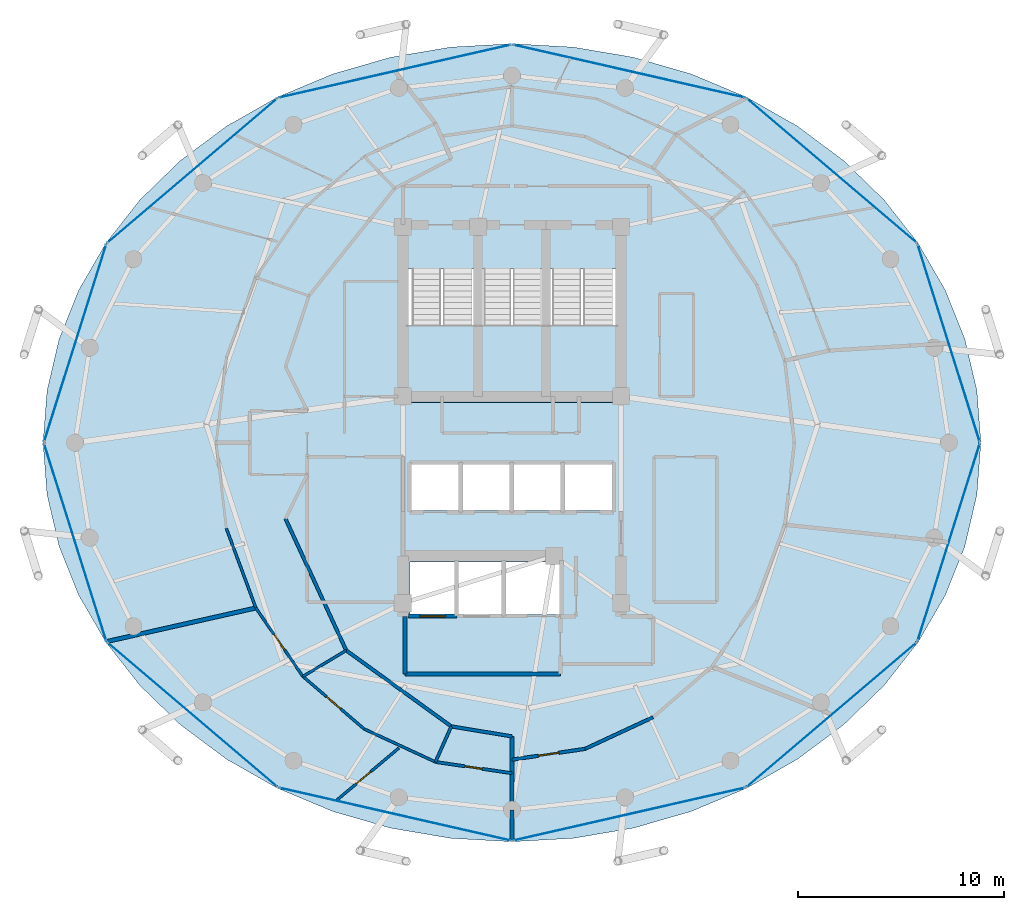
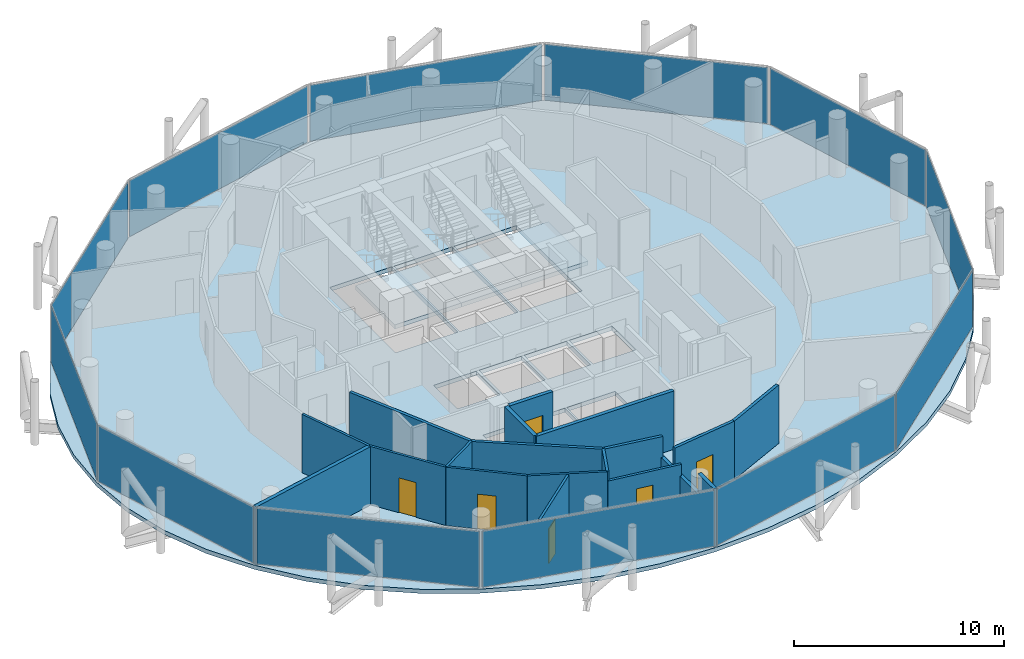
# One storey, part 22 of 27: 19 walls, 12 plates, 6 doors, 4 slabs, 6 openings, 15 elements without a shape of their own.
"""IFC4 building model written with IfcOpenShell, lengths in metres."""

import ifcopenshell
import ifcopenshell.guid

model = None  # the IFC model being written
_history = None  # IfcOwnerHistory: only IFC2X3 demands one
_inside = {}  # id of a spatial element -> (the spatial element, [elements in it])
_under = {}  # id of a project, library or spatial element -> (it, [spatial elements below it])
_declared = {}  # id of a project -> (the project, [libraries it declares])
_typed = {}  # id of a type object -> (the type object, [elements of that type])
_made_of = {}  # id of a material, layer set ... -> (it, [elements and type objects made of it])


def new_model(schema):
    """Start an empty IFC model of exactly this schema.

    Asked for "IFC4X3", IfcOpenShell would pick the latest addendum, in which some entities
    have other attributes; the version numbers below select the first issue.
    IFC2X3 requires an IfcOwnerHistory on every rooted entity: one is made here for all.
    """
    global model, _history
    if schema == "IFC4X3":
        model = ifcopenshell.file(schema_version=(4, 3, 0, 0))
    else:
        model = ifcopenshell.file(schema=schema)
    _inside.clear()
    _under.clear()
    _declared.clear()
    _typed.clear()
    _made_of.clear()
    _history = None
    if model.schema == "IFC2X3":
        org = make("IfcOrganization", Name="unknown")
        user = make(
            "IfcPersonAndOrganization",
            ThePerson=make("IfcPerson", FamilyName="unknown"),
            TheOrganization=org,
        )
        app = make(
            "IfcApplication",
            ApplicationDeveloper=org,
            Version="unknown",
            ApplicationFullName="unknown",
            ApplicationIdentifier="unknown",
        )
        _history = make(
            "IfcOwnerHistory",
            OwningUser=user,
            OwningApplication=app,
            ChangeAction="ADDED",
            CreationDate=0,
        )
    return model


def make(cls, **values):
    """One entity of the class cls with the attributes given. An attribute that is None is left unset."""
    return model.create_entity(
        cls, **{name: value for name, value in values.items() if value is not None}
    )


def rooted(cls, **values):
    """An entity with a GlobalId (a new one), such as an element, a storey or a relation."""
    return make(cls, GlobalId=ifcopenshell.guid.new(), OwnerHistory=_history, **values)


def si_unit(unit_type, name, prefix=None):
    """IfcSIUnit, for example si_unit("LENGTHUNIT", "METRE", prefix="MILLI")."""
    return make("IfcSIUnit", UnitType=unit_type, Prefix=prefix, Name=name)


def assignment(units):
    """IfcUnitAssignment: the units of a project."""
    return None if units is None else make("IfcUnitAssignment", Units=units)


def point(xyz):
    """IfcCartesianPoint."""
    return None if xyz is None else make("IfcCartesianPoint", Coordinates=xyz)


def direction(xyz):
    """IfcDirection."""
    return None if xyz is None else make("IfcDirection", DirectionRatios=xyz)


def frame(location, z_axis=None, x_axis=None):
    """IfcAxis2Placement3D, a coordinate frame: its origin and axes. An axis left out is left unset."""
    return make(
        "IfcAxis2Placement3D",
        Location=point(location),
        Axis=direction(z_axis),
        RefDirection=direction(x_axis),
    )


def frame_2d(location, x_axis=None):
    """IfcAxis2Placement2D, a coordinate frame in the plane: its origin and x axis."""
    return make(
        "IfcAxis2Placement2D", Location=point(location), RefDirection=direction(x_axis)
    )


def origin():
    """The frame at (0, 0, 0) with its axes left unset."""
    return frame((0.0, 0.0, 0.0))


def origin_2d():
    """The frame at (0, 0) in the plane with its x axis left unset."""
    return frame_2d((0.0, 0.0))


def place(relative_to, where):
    """IfcLocalPlacement: puts the frame where relative to a parent placement (None: the world)."""
    return make(
        "IfcLocalPlacement", PlacementRelTo=relative_to, RelativePlacement=where
    )


def context(
    kind, dimensions, precision=None, world=None, true_north=None, identifier=None
):
    """IfcGeometricRepresentationContext, for example the 3D "Model" context."""
    return make(
        "IfcGeometricRepresentationContext",
        ContextIdentifier=identifier,
        ContextType=kind,
        CoordinateSpaceDimension=dimensions,
        Precision=precision,
        WorldCoordinateSystem=world,
        TrueNorth=true_north,
    )


def subcontext(parent, identifier, kind, view, scale=None):
    """IfcGeometricRepresentationSubContext, for example "Body" below "Model"."""
    return make(
        "IfcGeometricRepresentationSubContext",
        ContextIdentifier=identifier,
        ContextType=kind,
        ParentContext=parent,
        TargetScale=scale,
        TargetView=view,
    )


def project(units=None, contexts=None):
    """IfcProject with its units and contexts."""
    return rooted(
        "IfcProject",
        Name="project",
        RepresentationContexts=contexts,
        UnitsInContext=assignment(units),
    )


def spatial(cls, under=None, at=None, **own):
    """A site, building, storey or space (cls), placed at a placement, below another one or the project."""
    s = rooted(cls, ObjectPlacement=at, **own)
    if under is not None:
        _under.setdefault(under.id(), (under, []))[1].append(s)
    return s


def polyline(points):
    """IfcPolyline through the points."""
    return make("IfcPolyline", Points=[point(p) for p in points])


def profile(cls, at=None, kind="AREA", **sizes):
    """A parametric profile (cls). Its sizes go by their IFC names, for example OverallWidth=200.0."""
    return make(cls, ProfileType=kind, Position=at, **sizes)


def rectangle(**sizes):
    """IfcRectangleProfileDef."""
    return profile("IfcRectangleProfileDef", **sizes)


def outline(outer, holes=None, kind="AREA"):
    """IfcArbitraryClosedProfileDef: a profile drawn as a closed curve; with holes, ...WithVoids."""
    if holes is None:
        return make("IfcArbitraryClosedProfileDef", ProfileType=kind, OuterCurve=outer)
    return make(
        "IfcArbitraryProfileDefWithVoids",
        ProfileType=kind,
        OuterCurve=outer,
        InnerCurves=holes,
    )


def extrude(swept, where, along, depth):
    """IfcExtrudedAreaSolid: the profile swept, set in the frame where, extruded along a direction by depth."""
    return make(
        "IfcExtrudedAreaSolid",
        SweptArea=swept,
        Position=where,
        ExtrudedDirection=direction(along),
        Depth=depth,
    )


def shape(context_of_items, identifier, shape_type, items):
    """IfcShapeRepresentation: the items that make up one representation, for example the "Body"."""
    return make(
        "IfcShapeRepresentation",
        ContextOfItems=context_of_items,
        RepresentationIdentifier=identifier,
        RepresentationType=shape_type,
        Items=items,
    )


def material(Name=None, Category=None):
    """IfcMaterial."""
    return make("IfcMaterial", Name=Name, Category=Category)


def layer(
    of_material, thickness, ventilated=None, Name=None, Category=None, Priority=None
):
    """IfcMaterialLayer: one layer of a wall or slab, of a material (None: an air gap)."""
    return make(
        "IfcMaterialLayer",
        Material=of_material,
        LayerThickness=thickness,
        IsVentilated=ventilated,
        Name=Name,
        Category=Category,
        Priority=Priority,
    )


def layer_set(layers, Name=None):
    """IfcMaterialLayerSet."""
    return make("IfcMaterialLayerSet", MaterialLayers=layers, LayerSetName=Name)


def made_of(thing, what):
    """Note that an element or type object is made of a material, layer set ...; save() writes the relation."""
    if what is not None:
        _made_of.setdefault(what.id(), (what, []))[1].append(thing)
    return thing


def type_object(cls, material=None, **own):
    """A type object (cls), such as IfcWallType, which elements share."""
    return made_of(rooted(cls, **own), material)


def element(
    cls,
    number,
    at=None,
    inside=None,
    cuts=None,
    type_object=None,
    material=None,
    context=None,
    identifier="Body",
    shape_type=None,
    held_by="IfcProductDefinitionShape",
    body=None,
    shapes=None,
    **own,
):
    """One element of the class cls, such as IfcWall. Its Tag is "e" and its number.

    at: its placement. inside: the storey or other place that contains it. cuts: it is an
    opening in that element (IfcRelVoidsElement). A single representation is given by context,
    identifier, shape_type and body (its items); several are given by shapes. held_by: the class
    of the entity that holds the representations. save() writes the other relations.
    """
    e = rooted(cls, Tag="e%d" % number, ObjectPlacement=at, **own)
    if body is not None:
        shapes = [shape(context, identifier, shape_type, body)]
    if shapes is not None:
        e.Representation = make(held_by, Representations=shapes)
    if inside is not None:
        _inside.setdefault(inside.id(), (inside, []))[1].append(e)
    if cuts is not None:
        rooted(
            "IfcRelVoidsElement", RelatingBuildingElement=cuts, RelatedOpeningElement=e
        )
    if type_object is not None:
        _typed.setdefault(type_object.id(), (type_object, []))[1].append(e)
    return made_of(e, material)


def fill(opening, filler):
    """IfcRelFillsElement: the door or window that sits in an opening."""
    return rooted(
        "IfcRelFillsElement",
        RelatingOpeningElement=opening,
        RelatedBuildingElement=filler,
    )


def aggregate(whole, parts):
    """IfcRelAggregates: a whole, such as a stair, and the parts it consists of."""
    return rooted("IfcRelAggregates", RelatingObject=whole, RelatedObjects=parts)


def save(model, path):
    """Write the relations noted so far, then the file.

    IfcRelAggregates (storeys below a building ...), IfcRelContainedInSpatialStructure (elements
    in a storey), IfcRelDefinesByType, IfcRelAssociatesMaterial and IfcRelDeclares: one each for
    every whole, place, type object, material and project.
    """
    for whole, parts in _under.values():
        aggregate(whole, parts)
    for where, things in _inside.values():
        rooted(
            "IfcRelContainedInSpatialStructure",
            RelatedElements=things,
            RelatingStructure=where,
        )
    for kind, things in _typed.values():
        rooted("IfcRelDefinesByType", RelatedObjects=things, RelatingType=kind)
    for what, things in _made_of.values():
        rooted("IfcRelAssociatesMaterial", RelatedObjects=things, RelatingMaterial=what)
    for by, libraries in _declared.values():
        rooted("IfcRelDeclares", RelatingContext=by, RelatedDefinitions=libraries)
    model.write(path)


model = new_model("IFC4")

# Units and contexts
model_context = context("Model", 3, precision=1e-05, world=origin(), true_north=direction((0.0, 1.0)))
body_context = subcontext(model_context, "Body", "Model", "MODEL_VIEW")
ifc_project = project(units=[si_unit("LENGTHUNIT", "METRE"), si_unit("AREAUNIT", "SQUARE_METRE"), si_unit("VOLUMEUNIT", "CUBIC_METRE"), si_unit("PLANEANGLEUNIT", "RADIAN"), si_unit("MASSUNIT", "GRAM", prefix="KILO")], contexts=[model_context])

# Site, building, storey
site_placement = place(None, origin())
site = spatial("IfcSite", under=ifc_project, at=site_placement, CompositionType="ELEMENT")
building_placement = place(site_placement, origin())
building = spatial("IfcBuilding", under=site, at=building_placement, Name="Nuhasar Tower", CompositionType="ELEMENT")
storey_placement = place(building_placement, frame((0.0, 0.0, 251.949951171875)))
storey = spatial("IfcBuildingStorey", under=building, at=storey_placement, Name="L62", CompositionType="ELEMENT", Elevation=251.949951171875)

# Curtain wall, plate
ifc_material_1 = material(Name="Aluminium 6063-T6", Category="aluminium")
ifc_layer_1 = layer(ifc_material_1, 0.18994140625)
ifc_layer_set_1 = layer_set([ifc_layer_1], Name="Aluminium 6063-T6")
curtain_wall_type = type_object("IfcCurtainWallType", Name="CW-Z3-RES", PredefinedType="NOTDEFINED", material=ifc_layer_set_1)
curtain_wall_1_placement = place(storey_placement, origin())
curtain_wall_1 = element("IfcCurtainWall", 1, at=curtain_wall_1_placement, inside=storey, type_object=curtain_wall_type, Name="L62 Unitised Curtain Wall 01", PredefinedType="NOTDEFINED")
ifc_material_2 = material(Name="Glass Double Low-E", Category="glass")
ifc_layer_2 = layer(ifc_material_2, 0.028076171875)
ifc_layer_set_2 = layer_set([ifc_layer_2], Name="Glass Double Low-E")
plate_type = type_object("IfcPlateType", Name="CW-PANEL-GLZ", PredefinedType="CURTAIN_PANEL", material=ifc_layer_set_2)
plate_1_placement = place(storey_placement, frame((60.235595703125, 31.639892578125, 0.06494140625), z_axis=(0.0, 0.0, 1.0), x_axis=(-0.30042864553, 0.95380429279, 0.0)))
plate_1 = element("IfcPlate", 2, at=plate_1_placement, type_object=plate_type, Name="CW-Z3 panel 1.1", PredefinedType="CURTAIN_PANEL", context=body_context, shape_type="SweptSolid", body=[
    extrude(rectangle(XDim=10.018798828125, YDim=0.028076171875, at=origin_2d()), origin(), (0.0, 0.0, 1.0), 3.260009765625),
])
aggregate(curtain_wall_1, [plate_1])

curtain_wall_2_placement = place(storey_placement, origin())
curtain_wall_2 = element("IfcCurtainWall", 3, at=curtain_wall_2_placement, inside=storey, type_object=curtain_wall_type, Name="L62 Unitised Curtain Wall 02", PredefinedType="NOTDEFINED")
plate_2_placement = place(storey_placement, frame((54.54541015625, 40.02294921875, 0.06494140625), z_axis=(0.0, 0.0, 1.0), x_axis=(-0.761729472562, 0.64789521578, 0.0)))
plate_2 = element("IfcPlate", 4, at=plate_2_placement, type_object=plate_type, Name="CW-Z3 panel 1.1", PredefinedType="CURTAIN_PANEL", context=body_context, shape_type="SweptSolid", body=[
    extrude(rectangle(XDim=10.806884765625, YDim=0.028076171875, at=origin_2d()), origin(), (0.0, 0.0, 1.0), 3.260009765625),
])
aggregate(curtain_wall_2, [plate_2])

curtain_wall_3_placement = place(storey_placement, origin())
curtain_wall_3 = element("IfcCurtainWall", 5, at=curtain_wall_3_placement, inside=storey, type_object=curtain_wall_type, Name="L62 Unitised Curtain Wall 03", PredefinedType="NOTDEFINED")
plate_3_placement = place(storey_placement, frame((44.68994140625, 44.863037109375, 0.06494140625), z_axis=(0.0, 0.0, 1.0), x_axis=(-0.974991266926, 0.222243176313, 0.0)))
plate_3 = element("IfcPlate", 6, at=plate_3_placement, type_object=plate_type, Name="CW-Z3 panel 1.1", PredefinedType="CURTAIN_PANEL", context=body_context, shape_type="SweptSolid", body=[
    extrude(rectangle(XDim=11.5419921875, YDim=0.028076171875, at=origin_2d()), origin(), (0.0, 0.0, 1.0), 3.260009765625),
])
aggregate(curtain_wall_3, [plate_3])

curtain_wall_4_placement = place(storey_placement, origin())
curtain_wall_4 = element("IfcCurtainWall", 7, at=curtain_wall_4_placement, inside=storey, type_object=curtain_wall_type, Name="L62 Unitised Curtain Wall 04", PredefinedType="NOTDEFINED")
plate_4_placement = place(storey_placement, frame((33.31005859375, 44.863037109375, 0.06494140625), z_axis=(0.0, 0.0, 1.0), x_axis=(-0.974991266926, -0.222243176313, 0.0)))
plate_4 = element("IfcPlate", 8, at=plate_4_placement, type_object=plate_type, Name="CW-Z3 panel 1.1", PredefinedType="CURTAIN_PANEL", context=body_context, shape_type="SweptSolid", body=[
    extrude(rectangle(XDim=11.5419921875, YDim=0.028076171875, at=origin_2d()), origin(), (0.0, 0.0, 1.0), 3.260009765625),
])
aggregate(curtain_wall_4, [plate_4])

curtain_wall_5_placement = place(storey_placement, origin())
curtain_wall_5 = element("IfcCurtainWall", 9, at=curtain_wall_5_placement, inside=storey, type_object=curtain_wall_type, Name="L62 Unitised Curtain Wall 05", PredefinedType="NOTDEFINED")
plate_5_placement = place(storey_placement, frame((23.45458984375, 40.02294921875, 0.06494140625), z_axis=(0.0, 0.0, 1.0), x_axis=(-0.761729472562, -0.64789521578, 0.0)))
plate_5 = element("IfcPlate", 10, at=plate_5_placement, type_object=plate_type, Name="CW-Z3 panel 1.1", PredefinedType="CURTAIN_PANEL", context=body_context, shape_type="SweptSolid", body=[
    extrude(rectangle(XDim=10.806884765625, YDim=0.028076171875, at=origin_2d()), origin(), (0.0, 0.0, 1.0), 3.260009765625),
])
aggregate(curtain_wall_5, [plate_5])

curtain_wall_6_placement = place(storey_placement, origin())
curtain_wall_6 = element("IfcCurtainWall", 11, at=curtain_wall_6_placement, inside=storey, type_object=curtain_wall_type, Name="L62 Unitised Curtain Wall 06", PredefinedType="NOTDEFINED")
plate_6_placement = place(storey_placement, frame((17.764404296875, 31.639892578125, 0.06494140625), z_axis=(0.0, 0.0, 1.0), x_axis=(-0.30042864553, -0.95380429279, 0.0)))
plate_6 = element("IfcPlate", 12, at=plate_6_placement, type_object=plate_type, Name="CW-Z3 panel 1.1", PredefinedType="CURTAIN_PANEL", context=body_context, shape_type="SweptSolid", body=[
    extrude(rectangle(XDim=10.018798828125, YDim=0.028076171875, at=origin_2d()), origin(), (0.0, 0.0, 1.0), 3.260009765625),
])
aggregate(curtain_wall_6, [plate_6])

curtain_wall_7_placement = place(storey_placement, origin())
curtain_wall_7 = element("IfcCurtainWall", 13, at=curtain_wall_7_placement, inside=storey, type_object=curtain_wall_type, Name="L62 Unitised Curtain Wall 07", PredefinedType="NOTDEFINED")
plate_7_placement = place(storey_placement, frame((17.764404296875, 21.9599609375, 0.06494140625), z_axis=(0.0, 0.0, 1.0), x_axis=(0.30042864553, -0.95380429279, 0.0)))
plate_7 = element("IfcPlate", 14, at=plate_7_placement, type_object=plate_type, Name="CW-Z3 panel 1.1", PredefinedType="CURTAIN_PANEL", context=body_context, shape_type="SweptSolid", body=[
    extrude(rectangle(XDim=10.018798828125, YDim=0.028076171875, at=origin_2d()), origin(), (0.0, 0.0, 1.0), 3.260009765625),
])
aggregate(curtain_wall_7, [plate_7])

curtain_wall_8_placement = place(storey_placement, origin())
curtain_wall_8 = element("IfcCurtainWall", 15, at=curtain_wall_8_placement, inside=storey, type_object=curtain_wall_type, Name="L62 Unitised Curtain Wall 08", PredefinedType="NOTDEFINED")
plate_8_placement = place(storey_placement, frame((23.45458984375, 13.576904296875, 0.06494140625), z_axis=(0.0, 0.0, 1.0), x_axis=(0.761729472562, -0.64789521578, 0.0)))
plate_8 = element("IfcPlate", 16, at=plate_8_placement, type_object=plate_type, Name="CW-Z3 panel 1.1", PredefinedType="CURTAIN_PANEL", context=body_context, shape_type="SweptSolid", body=[
    extrude(rectangle(XDim=10.806884765625, YDim=0.028076171875, at=origin_2d()), origin(), (0.0, 0.0, 1.0), 3.260009765625),
])
aggregate(curtain_wall_8, [plate_8])

curtain_wall_9_placement = place(storey_placement, origin())
curtain_wall_9 = element("IfcCurtainWall", 17, at=curtain_wall_9_placement, inside=storey, type_object=curtain_wall_type, Name="L62 Unitised Curtain Wall 09", PredefinedType="NOTDEFINED")
plate_9_placement = place(storey_placement, frame((33.31005859375, 8.737060546875, 0.06494140625), z_axis=(0.0, 0.0, 1.0), x_axis=(0.974991266926, -0.222243176313, 0.0)))
plate_9 = element("IfcPlate", 18, at=plate_9_placement, type_object=plate_type, Name="CW-Z3 panel 1.1", PredefinedType="CURTAIN_PANEL", context=body_context, shape_type="SweptSolid", body=[
    extrude(rectangle(XDim=11.5419921875, YDim=0.028076171875, at=origin_2d()), origin(), (0.0, 0.0, 1.0), 3.260009765625),
])
aggregate(curtain_wall_9, [plate_9])

curtain_wall_10_placement = place(storey_placement, origin())
curtain_wall_10 = element("IfcCurtainWall", 19, at=curtain_wall_10_placement, inside=storey, type_object=curtain_wall_type, Name="L62 Unitised Curtain Wall 10", PredefinedType="NOTDEFINED")
plate_10_placement = place(storey_placement, frame((44.68994140625, 8.737060546875, 0.06494140625), z_axis=(0.0, 0.0, 1.0), x_axis=(0.974991266926, 0.222243176313, 0.0)))
plate_10 = element("IfcPlate", 20, at=plate_10_placement, type_object=plate_type, Name="CW-Z3 panel 1.1", PredefinedType="CURTAIN_PANEL", context=body_context, shape_type="SweptSolid", body=[
    extrude(rectangle(XDim=11.5419921875, YDim=0.028076171875, at=origin_2d()), origin(), (0.0, 0.0, 1.0), 3.260009765625),
])
aggregate(curtain_wall_10, [plate_10])

curtain_wall_11_placement = place(storey_placement, origin())
curtain_wall_11 = element("IfcCurtainWall", 21, at=curtain_wall_11_placement, inside=storey, type_object=curtain_wall_type, Name="L62 Unitised Curtain Wall 11", PredefinedType="NOTDEFINED")
plate_11_placement = place(storey_placement, frame((54.54541015625, 13.576904296875, 0.06494140625), z_axis=(0.0, 0.0, 1.0), x_axis=(0.761729472562, 0.64789521578, 0.0)))
plate_11 = element("IfcPlate", 22, at=plate_11_placement, type_object=plate_type, Name="CW-Z3 panel 1.1", PredefinedType="CURTAIN_PANEL", context=body_context, shape_type="SweptSolid", body=[
    extrude(rectangle(XDim=10.806884765625, YDim=0.028076171875, at=origin_2d()), origin(), (0.0, 0.0, 1.0), 3.260009765625),
])
aggregate(curtain_wall_11, [plate_11])

curtain_wall_12_placement = place(storey_placement, origin())
curtain_wall_12 = element("IfcCurtainWall", 23, at=curtain_wall_12_placement, inside=storey, type_object=curtain_wall_type, Name="L62 Unitised Curtain Wall 12", PredefinedType="NOTDEFINED")
plate_12_placement = place(storey_placement, frame((60.235595703125, 21.9599609375, 0.06494140625), z_axis=(0.0, 0.0, 1.0), x_axis=(0.30042864553, 0.95380429279, 0.0)))
plate_12 = element("IfcPlate", 24, at=plate_12_placement, type_object=plate_type, Name="CW-Z3 panel 1.1", PredefinedType="CURTAIN_PANEL", context=body_context, shape_type="SweptSolid", body=[
    extrude(rectangle(XDim=10.018798828125, YDim=0.028076171875, at=origin_2d()), origin(), (0.0, 0.0, 1.0), 3.260009765625),
])
aggregate(curtain_wall_12, [plate_12])

# Stair, slab
ifc_material_3 = material(Name="Concrete C45/55", Category="concrete")
stair_type_1 = type_object("IfcStairType", Name="STR-ST-01-2F-22R-1659", PredefinedType="HALF_TURN_STAIR", material=ifc_material_3)
stair_1_placement = place(storey_placement, origin())
stair_1 = element("IfcStair", 25, at=stair_1_placement, inside=storey, type_object=stair_type_1, Name="L62 Exit Stair ST-01", PredefinedType="HALF_TURN_STAIR")
ifc_layer_3 = layer(ifc_material_3, 0.239990234375)
ifc_layer_set_3 = layer_set([ifc_layer_3], Name="Concrete C45/55")
slab_type_1 = type_object("IfcSlabType", Name="SLB-STAIR-LND-240", PredefinedType="LANDING", material=ifc_layer_set_3)
slab_1_placement = place(storey_placement, frame((0.0, 0.0, 1.5849609375)))
slab_1 = element("IfcSlab", 26, at=slab_1_placement, type_object=slab_type_1, Name="ST-01 landing 1", PredefinedType="LANDING", context=body_context, shape_type="SweptSolid", body=[
    extrude(outline(polyline([(33.699951171875, 28.75), (37.35009765625, 28.75), (37.35009765625, 32.52001953125), (33.699951171875, 32.52001953125), (33.699951171875, 28.75)])), origin(), (0.0, 0.0, 1.0), 0.239990234375),
])
aggregate(stair_1, [slab_1])

stair_type_2 = type_object("IfcStairType", Name="STR-ST-03-2F-22R-1659", PredefinedType="HALF_TURN_STAIR", material=ifc_material_3)
stair_2_placement = place(storey_placement, origin())
stair_2 = element("IfcStair", 27, at=stair_2_placement, inside=storey, type_object=stair_type_2, Name="L62 Exit Stair ST-03", PredefinedType="HALF_TURN_STAIR")
slab_2_placement = place(storey_placement, frame((0.0, 0.0, 1.5849609375)))
slab_2 = element("IfcSlab", 28, at=slab_2_placement, type_object=slab_type_1, Name="ST-03 landing 1", PredefinedType="LANDING", context=body_context, shape_type="SweptSolid", body=[
    extrude(outline(polyline([(37.35009765625, 28.75), (40.64990234375, 28.75), (40.64990234375, 32.52001953125), (37.35009765625, 32.52001953125), (37.35009765625, 28.75)])), origin(), (0.0, 0.0, 1.0), 0.239990234375),
])
aggregate(stair_2, [slab_2])

stair_type_3 = type_object("IfcStairType", Name="STR-ST-02-2F-22R-1659", PredefinedType="HALF_TURN_STAIR", material=ifc_material_3)
stair_3_placement = place(storey_placement, origin())
stair_3 = element("IfcStair", 29, at=stair_3_placement, inside=storey, type_object=stair_type_3, Name="L62 Exit Stair ST-02", PredefinedType="HALF_TURN_STAIR")
slab_3_placement = place(storey_placement, frame((0.0, 0.0, 1.5849609375)))
slab_3 = element("IfcSlab", 30, at=slab_3_placement, type_object=slab_type_1, Name="ST-02 landing 1", PredefinedType="LANDING", context=body_context, shape_type="SweptSolid", body=[
    extrude(outline(polyline([(40.64990234375, 28.75), (44.300048828125, 28.75), (44.300048828125, 32.52001953125), (40.64990234375, 32.52001953125), (40.64990234375, 28.75)])), origin(), (0.0, 0.0, 1.0), 0.239990234375),
])
aggregate(stair_3, [slab_3])

# Slab
ifc_layer_4 = layer(ifc_material_3, 0.239990234375)
ifc_layer_set_4 = layer_set([ifc_layer_4], Name="Concrete C45/55")
slab_type_2 = type_object("IfcSlabType", Name="SLB-Z3-240", PredefinedType="FLOOR", material=ifc_layer_set_4)
slab_4_placement = place(storey_placement, frame((0.0, 0.0, -0.239990234375)))
element("IfcSlab", 31, at=slab_4_placement, inside=storey, type_object=slab_type_2, Name="L62 Structural Slab", PredefinedType="FLOOR", context=body_context, shape_type="SweptSolid", body=[
    extrude(outline(polyline([(61.800048828125, 26.800048828125), (61.60498046875, 29.33203125), (61.02294921875, 31.821044921875), (60.06396484375, 34.22412109375), (58.7451171875, 36.5), (57.087890625, 38.610107421875), (55.1220703125, 40.51806640625), (52.8798828125, 42.19091796875), (50.39990234375, 43.60107421875), (47.72509765625, 44.722900390625), (44.90087890625, 45.5390625), (41.97607421875, 46.033935546875), (39.0, 46.199951171875), (36.02392578125, 46.033935546875), (33.09912109375, 45.5390625), (30.27490234375, 44.722900390625), (27.60009765625, 43.60107421875), (25.1201171875, 42.19091796875), (22.8779296875, 40.51806640625), (20.912109375, 38.610107421875), (19.2548828125, 36.5), (17.93603515625, 34.22412109375), (16.97705078125, 31.821044921875), (16.39501953125, 29.33203125), (16.199951171875, 26.800048828125), (16.39501953125, 24.26806640625), (16.97705078125, 21.779052734375), (17.93603515625, 19.3759765625), (19.2548828125, 17.10009765625), (20.912109375, 14.989990234375), (22.8779296875, 13.08203125), (25.1201171875, 11.408935546875), (27.60009765625, 9.9990234375), (30.27490234375, 8.876953125), (33.09912109375, 8.06103515625), (36.02392578125, 7.56591796875), (39.0, 7.39990234375), (41.97607421875, 7.56591796875), (44.90087890625, 8.06103515625), (47.72509765625, 8.876953125), (50.39990234375, 9.9990234375), (52.8798828125, 11.408935546875), (55.1220703125, 13.08203125), (57.087890625, 14.989990234375), (58.7451171875, 17.10009765625), (60.06396484375, 19.3759765625), (61.02294921875, 21.779052734375), (61.60498046875, 24.26806640625), (61.800048828125, 26.800048828125)]), holes=[polyline([(33.8798828125, 35.25), (37.300048828125, 35.25), (37.300048828125, 29.0), (33.8798828125, 29.0), (33.8798828125, 35.25)]), polyline([(37.39990234375, 35.25), (40.60009765625, 35.25), (40.60009765625, 29.0), (37.39990234375, 29.0), (37.39990234375, 35.25)]), polyline([(40.699951171875, 35.25), (44.1201171875, 35.25), (44.1201171875, 29.0), (40.699951171875, 29.0), (40.699951171875, 35.25)]), polyline([(34.10009765625, 25.75), (36.43994140625, 25.75), (36.43994140625, 23.5), (34.10009765625, 23.5), (34.10009765625, 25.75)]), polyline([(36.580078125, 25.75), (38.919921875, 25.75), (38.919921875, 23.5), (36.580078125, 23.5), (36.580078125, 25.75)]), polyline([(39.06005859375, 25.75), (41.39990234375, 25.75), (41.39990234375, 23.5), (39.06005859375, 23.5), (39.06005859375, 25.75)]), polyline([(41.5400390625, 25.75), (43.8798828125, 25.75), (43.8798828125, 23.5), (41.5400390625, 23.5), (41.5400390625, 25.75)]), polyline([(34.050048828125, 21.0), (36.25, 21.0), (36.25, 18.449951171875), (34.050048828125, 18.449951171875), (34.050048828125, 21.0)]), polyline([(36.35009765625, 21.0), (38.550048828125, 21.0), (38.550048828125, 18.449951171875), (36.35009765625, 18.449951171875), (36.35009765625, 21.0)]), polyline([(38.64990234375, 21.0), (41.320068359375, 21.0), (41.320068359375, 18.449951171875), (38.64990234375, 18.449951171875), (38.64990234375, 21.0)])]), origin(), (0.0, 0.0, 1.0), 0.239990234375),
])

# Wall, opening, door
ifc_material_4 = material(Name="Gypsum Board", Category="gypsum")
ifc_layer_5 = layer(ifc_material_4, 0.159912109375)
ifc_layer_set_5 = layer_set([ifc_layer_5], Name="Gypsum Board")
wall_type_1 = type_object("IfcWallType", Name="WL-CORR-160", PredefinedType="PARTITIONING", material=ifc_layer_set_5)
wall_1_placement = place(storey_placement, frame((42.553955078125, 11.9150390625, 0.0), z_axis=(0.0, 0.0, 1.0), x_axis=(-0.989258488255, -0.146176754018, 0.0)))
wall_1 = element("IfcWall", 32, at=wall_1_placement, inside=storey, type_object=wall_type_1, Name="L62 Interior Partition CORR-36", PredefinedType="PARTITIONING", context=body_context, shape_type="SweptSolid", body=[
    extrude(rectangle(XDim=3.592529296875, YDim=0.159912109375, at=frame_2d((1.79638671875, 0.0))), origin(), (0.0, 0.0, 1.0), 3.39013671875),
])
opening_1_placement = place(wall_1_placement, frame((1.2958984375, 0.0, 0.0)))
opening_1 = element("IfcOpeningElement", 33, at=opening_1_placement, cuts=wall_1, Name="Opening DU-02B", PredefinedType="OPENING", context=body_context, shape_type="SweptSolid", body=[
    extrude(rectangle(XDim=1.0, YDim=2.02001953125, at=frame_2d((0.5, 1.010009765625))), frame((0.0, 0.08984375, 0.0), z_axis=(0.0, -1.0, 0.0), x_axis=(1.0, 0.0, 0.0)), (0.0, 0.0, 1.0), 0.179931640625),
])
ifc_material_5 = material(Name="Timber Oak", Category="wood")
door_type_1 = type_object("IfcDoorType", Name="DR-L62-FD60-1000", OperationType="NOTDEFINED", PredefinedType="DOOR", material=ifc_material_5)
door_1_placement = place(opening_1_placement, origin())
door_1 = element("IfcDoor", 34, at=door_1_placement, inside=storey, type_object=door_type_1, Name="L62 Horizon Conservatory Gym Entrance Door", OperationType="SINGLE_SWING_RIGHT", OverallHeight=2.02001953125, OverallWidth=1.0, PredefinedType="DOOR", context=body_context, shape_type="SweptSolid", body=[
    extrude(rectangle(XDim=1.0, YDim=2.02001953125, at=frame_2d((0.5, 1.010009765625))), frame((0.0, 0.02490234375, 0.0), z_axis=(0.0, -1.0, 0.0), x_axis=(1.0, 0.0, 0.0)), (0.0, 0.0, 1.0), 0.050048828125),
])
fill(opening_1, door_1)

# Walls
wall_2_placement = place(storey_placement, frame((42.553955078125, 11.9150390625, 0.0), z_axis=(0.0, 0.0, 1.0), x_axis=(0.906718733669, 0.421735862851, 0.0)))
element("IfcWall", 35, at=wall_2_placement, inside=storey, type_object=wall_type_1, Name="L62 Interior Partition CORR-38", PredefinedType="PARTITIONING", context=body_context, shape_type="SweptSolid", body=[
    extrude(rectangle(XDim=3.651611328125, YDim=0.159912109375, at=frame_2d((1.82568359375, 0.0))), origin(), (0.0, 0.0, 1.0), 3.39013671875),
])
wall_3_placement = place(storey_placement, frame((27.988037109375, 23.10400390625, 0.0), z_axis=(0.0, 0.0, 1.0), x_axis=(0.418656179426, -0.908144814128, 0.0)))
element("IfcWall", 36, at=wall_3_placement, inside=storey, type_object=wall_type_1, Name="L62 Interior Partition UWEST-CORE-S1-26", PredefinedType="PARTITIONING", context=body_context, shape_type="SweptSolid", body=[
    extrude(rectangle(XDim=7.048583984375, YDim=0.159912109375, at=frame_2d((3.5244140625, 0.0))), origin(), (0.0, 0.0, 1.0), 3.39013671875),
])
wall_4_placement = place(storey_placement, frame((30.93896484375, 16.702880859375, 0.0), z_axis=(0.0, 0.0, 1.0), x_axis=(0.810290119061, -0.586028943784, 0.0)))
element("IfcWall", 37, at=wall_4_placement, inside=storey, type_object=wall_type_1, Name="L62 Interior Partition UWEST-CORE-S1-30", PredefinedType="PARTITIONING", context=body_context, shape_type="SweptSolid", body=[
    extrude(rectangle(XDim=6.306396484375, YDim=0.159912109375, at=frame_2d((3.1533203125, 0.0))), origin(), (0.0, 0.0, 1.0), 3.39013671875),
])
wall_5_placement = place(storey_placement, frame((36.049072265625, 13.007080078125, 0.0), z_axis=(0.0, 0.0, 1.0), x_axis=(0.986650832406, -0.162850038111, 0.0)))
element("IfcWall", 38, at=wall_5_placement, inside=storey, type_object=wall_type_1, Name="L62 Interior Partition UWEST-CORE-S2-34", PredefinedType="PARTITIONING", context=body_context, shape_type="SweptSolid", body=[
    extrude(rectangle(XDim=2.990966796875, YDim=0.159912109375, at=frame_2d((1.49560546875, 0.0))), origin(), (0.0, 0.0, 1.0), 3.39013671875),
])
ifc_layer_6 = layer(ifc_material_3, 0.199951171875)
ifc_layer_set_6 = layer_set([ifc_layer_6], Name="Concrete C45/55")
wall_type_2 = type_object("IfcWallType", Name="WL-LOBBY-200", PredefinedType="SOLIDWALL", material=ifc_layer_set_6)
wall_6_placement = place(storey_placement, frame((33.800048828125, 15.550048828125, 0.0), z_axis=(0.0, 0.0, 1.0), x_axis=(1.0, 0.0, 0.0)))
element("IfcWall", 39, at=wall_6_placement, inside=storey, type_object=wall_type_2, Name="L62 Interior Partition FFL-S", PredefinedType="SOLIDWALL", context=body_context, shape_type="SweptSolid", body=[
    extrude(rectangle(XDim=7.550048828125, YDim=0.199951171875, at=frame_2d((3.77490234375, 0.0))), origin(), (0.0, 0.0, 1.0), 3.39013671875),
])
wall_7_placement = place(storey_placement, frame((33.800048828125, 15.550048828125, 0.0), z_axis=(0.0, 0.0, 1.0), x_axis=(0.0, 1.0, 0.0)))
element("IfcWall", 40, at=wall_7_placement, inside=storey, type_object=wall_type_2, Name="L62 Interior Partition FFL-W", PredefinedType="SOLIDWALL", context=body_context, shape_type="SweptSolid", body=[
    extrude(rectangle(XDim=2.800048828125, YDim=0.199951171875, at=frame_2d((1.39990234375, 0.0))), origin(), (0.0, 0.0, 1.0), 3.39013671875),
])
ifc_layer_7 = layer(ifc_material_4, 0.125)
ifc_layer_set_7 = layer_set([ifc_layer_7], Name="Gypsum Board")
wall_type_3 = type_object("IfcWallType", Name="WL-PART-125", PredefinedType="PARTITIONING", material=ifc_layer_set_7)
wall_8_placement = place(storey_placement, frame((25.110107421875, 22.64111328125, 0.0), z_axis=(0.0, 0.0, 1.0), x_axis=(0.347606700796, -0.937640432982, 0.0)))
element("IfcWall", 41, at=wall_8_placement, inside=storey, type_object=wall_type_3, Name="L62 Interior Partition USM-1-D-26", PredefinedType="PARTITIONING", context=body_context, shape_type="SweptSolid", body=[
    extrude(rectangle(XDim=4.134033203125, YDim=0.125, at=frame_2d((2.06689453125, 0.0))), origin(), (0.0, 0.0, 1.0), 3.39013671875),
])

# Wall, opening, door
wall_9_placement = place(storey_placement, frame((31.81005859375, 12.883056640625, 0.0), z_axis=(0.0, 0.0, 1.0), x_axis=(-0.759085259689, 0.650991220004, 0.0)))
wall_9 = element("IfcWall", 42, at=wall_9_placement, inside=storey, type_object=wall_type_3, Name="L62 Interior Partition USM-2-K-30", PredefinedType="PARTITIONING", context=body_context, shape_type="SweptSolid", body=[
    extrude(rectangle(XDim=3.923095703125, YDim=0.125, at=frame_2d((1.96142578125, 0.0))), origin(), (0.0, 0.0, 1.0), 3.39013671875),
])
opening_2_placement = place(wall_9_placement, frame((1.511962890625, 0.0, 0.0)))
opening_2 = element("IfcOpeningElement", 43, at=opening_2_placement, cuts=wall_9, Name="Opening DR-01B", PredefinedType="OPENING", context=body_context, shape_type="SweptSolid", body=[
    extrude(rectangle(XDim=0.89990234375, YDim=2.02001953125, at=frame_2d((0.449951171875, 1.010009765625))), frame((0.0, 0.072509765625, 0.0), z_axis=(0.0, -1.0, 0.0), x_axis=(1.0, 0.0, 0.0)), (0.0, 0.0, 1.0), 0.14501953125),
])
door_type_2 = type_object("IfcDoorType", Name="DR-L62-ROOM-900", OperationType="NOTDEFINED", PredefinedType="DOOR", material=ifc_material_5)
door_2_placement = place(opening_2_placement, origin())
door_2 = element("IfcDoor", 44, at=door_2_placement, inside=storey, type_object=door_type_2, Name="L62 South-West Sky Home Kitchen Door", OperationType="SINGLE_SWING_RIGHT", OverallHeight=2.02001953125, OverallWidth=0.89990234375, PredefinedType="DOOR", context=body_context, shape_type="SweptSolid", body=[
    extrude(rectangle(XDim=0.89990234375, YDim=2.02001953125, at=frame_2d((0.449951171875, 1.010009765625))), frame((0.0, 0.02490234375, 0.0), z_axis=(0.0, -1.0, 0.0), x_axis=(1.0, 0.0, 0.0)), (0.0, 0.0, 1.0), 0.050048828125),
])
fill(opening_2, door_2)

# Walls
wall_10_placement = place(storey_placement, frame((31.81005859375, 12.883056640625, 0.0), z_axis=(0.0, 0.0, 1.0), x_axis=(0.907525084777, -0.419997881543, 0.0)))
element("IfcWall", 45, at=wall_10_placement, inside=storey, type_object=wall_type_3, Name="L62 Interior Partition USM-2-K-32", PredefinedType="PARTITIONING", context=body_context, shape_type="SweptSolid", body=[
    extrude(rectangle(XDim=3.8212890625, YDim=0.125, at=frame_2d((1.91064453125, 0.0))), origin(), (0.0, 0.0, 1.0), 3.39013671875),
])
wall_11_placement = place(storey_placement, frame((30.93896484375, 16.702880859375, 0.0), z_axis=(0.0, 0.0, 1.0), x_axis=(-0.857186030305, -0.515006902333, 0.0)))
element("IfcWall", 46, at=wall_11_placement, inside=storey, type_object=wall_type_3, Name="L62 Interior Partition USI-2-DK", PredefinedType="PARTITIONING", context=body_context, shape_type="SweptSolid", body=[
    extrude(rectangle(XDim=2.4580078125, YDim=0.125, at=frame_2d((1.22900390625, 0.0))), origin(), (0.0, 0.0, 1.0), 3.39013671875),
])

# Wall, opening, door
wall_12_placement = place(storey_placement, frame((28.83203125, 15.43701171875, 0.0), z_axis=(0.0, 0.0, 1.0), x_axis=(-0.566023066777, 0.824389403059, 0.0)))
wall_12 = element("IfcWall", 47, at=wall_12_placement, inside=storey, type_object=wall_type_3, Name="L62 Interior Partition USM-2-D-28", PredefinedType="PARTITIONING", context=body_context, shape_type="SweptSolid", body=[
    extrude(rectangle(XDim=4.036865234375, YDim=0.125, at=frame_2d((2.0185546875, 0.0))), origin(), (0.0, 0.0, 1.0), 3.39013671875),
])
opening_3_placement = place(wall_12_placement, frame((1.568115234375, 0.0, 0.0)))
opening_3 = element("IfcOpeningElement", 48, at=opening_3_placement, cuts=wall_12, Name="Opening DR-01B", PredefinedType="OPENING", context=body_context, shape_type="SweptSolid", body=[
    extrude(rectangle(XDim=0.89990234375, YDim=2.02001953125, at=frame_2d((0.449951171875, 1.010009765625))), frame((0.0, 0.072509765625, 0.0), z_axis=(0.0, -1.0, 0.0), x_axis=(1.0, 0.0, 0.0)), (0.0, 0.0, 1.0), 0.14501953125),
])
door_3_placement = place(opening_3_placement, origin())
door_3 = element("IfcDoor", 49, at=door_3_placement, inside=storey, type_object=door_type_2, Name="L62 South-West Sky Home Living Door", OperationType="SINGLE_SWING_LEFT", OverallHeight=2.02001953125, OverallWidth=0.89990234375, PredefinedType="DOOR", context=body_context, shape_type="SweptSolid", body=[
    extrude(rectangle(XDim=0.89990234375, YDim=2.02001953125, at=frame_2d((0.449951171875, 1.010009765625))), frame((0.0, 0.02490234375, 0.0), z_axis=(0.0, -1.0, 0.0), x_axis=(1.0, 0.0, 0.0)), (0.0, 0.0, 1.0), 0.050048828125),
])
fill(opening_3, door_3)

wall_13_placement = place(storey_placement, frame((33.4970703125, 11.952880859375, 0.0), z_axis=(0.0, 0.0, 1.0), x_axis=(-0.765718282832, -0.643176112225, 0.0)))
wall_13 = element("IfcWall", 50, at=wall_13_placement, inside=storey, type_object=wall_type_3, Name="L62 Interior Partition USO-2-BD", PredefinedType="PARTITIONING", context=body_context, shape_type="SweptSolid", body=[
    extrude(rectangle(XDim=3.94287109375, YDim=0.125, at=frame_2d((1.971435546875, 0.0))), origin(), (0.0, 0.0, 1.0), 3.39013671875),
])
opening_4_placement = place(wall_13_placement, frame((1.77587890625, 0.0, 0.0)))
opening_4 = element("IfcOpeningElement", 51, at=opening_4_placement, cuts=wall_13, Name="Opening DR-01B", PredefinedType="OPENING", context=body_context, shape_type="SweptSolid", body=[
    extrude(rectangle(XDim=0.89990234375, YDim=2.02001953125, at=frame_2d((0.449951171875, 1.010009765625))), frame((0.0, 0.072509765625, 0.0), z_axis=(0.0, -1.0, 0.0), x_axis=(1.0, 0.0, 0.0)), (0.0, 0.0, 1.0), 0.14501953125),
])
door_4_placement = place(opening_4_placement, origin())
door_4 = element("IfcDoor", 52, at=door_4_placement, inside=storey, type_object=door_type_2, Name="L62 South-West Sky Home Master Bedroom Door", OperationType="SINGLE_SWING_RIGHT", OverallHeight=2.02001953125, OverallWidth=0.89990234375, PredefinedType="DOOR", context=body_context, shape_type="SweptSolid", body=[
    extrude(rectangle(XDim=0.89990234375, YDim=2.02001953125, at=frame_2d((0.449951171875, 1.010009765625))), frame((0.0, 0.02490234375, 0.0), z_axis=(0.0, -1.0, 0.0), x_axis=(1.0, 0.0, 0.0)), (0.0, 0.0, 1.0), 0.050048828125),
])
fill(opening_4, door_4)

ifc_layer_8 = layer(ifc_material_3, 0.199951171875)
ifc_layer_set_8 = layer_set([ifc_layer_8], Name="Concrete C45/55")
wall_type_4 = type_object("IfcWallType", Name="WL-SHAFT-200", PredefinedType="SOLIDWALL", material=ifc_layer_set_8)
wall_14_placement = place(storey_placement, frame((33.969970703125, 18.3701171875, 0.0), z_axis=(0.0, 0.0, 1.0), x_axis=(1.0, 0.0, 0.0)))
wall_14 = element("IfcWall", 53, at=wall_14_placement, inside=storey, type_object=wall_type_4, Name="L62 Interior Partition SHF-FFL-01-S", PredefinedType="SOLIDWALL", context=body_context, shape_type="SweptSolid", body=[
    extrude(rectangle(XDim=2.360107421875, YDim=0.199951171875, at=frame_2d((1.18017578125, 0.0))), origin(), (0.0, 0.0, 1.0), 3.39013671875),
])
opening_5_placement = place(wall_14_placement, frame((0.554931640625, 0.0, 0.0)))
opening_5 = element("IfcOpeningElement", 54, at=opening_5_placement, cuts=wall_14, Name="Opening LD-F01", PredefinedType="OPENING", context=body_context, shape_type="SweptSolid", body=[
    extrude(rectangle(XDim=1.25, YDim=2.199951171875, at=frame_2d((0.625, 1.10009765625))), frame((0.0, 0.10986328125, 0.0), z_axis=(0.0, -1.0, 0.0), x_axis=(1.0, 0.0, 0.0)), (0.0, 0.0, 1.0), 0.219970703125),
])
ifc_material_6 = material(Name="Stainless Steel 316L", Category="steel")
door_type_3 = type_object("IfcDoorType", Name="LD-FFL-1250", OperationType="DOUBLE_DOOR_SLIDING", PredefinedType="DOOR", material=ifc_material_6)
door_5_placement = place(opening_5_placement, origin())
door_5 = element("IfcDoor", 55, at=door_5_placement, inside=storey, type_object=door_type_3, Name="L62 Lift Landing Door FFL-01", OperationType="DOUBLE_DOOR_SLIDING", OverallHeight=2.199951171875, OverallWidth=1.25, PredefinedType="DOOR", context=body_context, shape_type="SweptSolid", body=[
    extrude(rectangle(XDim=1.25, YDim=2.199951171875, at=frame_2d((0.625, 1.10009765625))), frame((0.0, 0.02490234375, 0.0), z_axis=(0.0, -1.0, 0.0), x_axis=(1.0, 0.0, 0.0)), (0.0, 0.0, 1.0), 0.050048828125),
])
fill(opening_5, door_5)

# Walls
ifc_material_7 = material(Name="Concrete C40/50 precast", Category="concrete")
ifc_layer_9 = layer(ifc_material_7, 0.199951171875)
ifc_layer_set_9 = layer_set([ifc_layer_9], Name="Concrete C40/50 precast")
wall_type_5 = type_object("IfcWallType", Name="WL-UNIT-200", PredefinedType="PARTITIONING", material=ifc_layer_set_9)
wall_15_placement = place(storey_placement, frame((39.0, 12.52001953125, 0.0), z_axis=(0.0, 0.0, 1.0), x_axis=(0.0, -1.0, 0.0)))
element("IfcWall", 56, at=wall_15_placement, inside=storey, type_object=wall_type_5, Name="L62 Interior Partition URAD-36-SW", PredefinedType="PARTITIONING", context=body_context, shape_type="SweptSolid", body=[
    extrude(rectangle(XDim=3.570068359375, YDim=0.199951171875, at=frame_2d((1.78515625, 0.0))), origin(), (0.0, 0.0, 1.0), 2.18994140625),
])
wall_16_placement = place(storey_placement, frame((39.0, 8.949951171875, 0.0), z_axis=(0.0, 0.0, 1.0), x_axis=(0.0, -1.0, 0.0)))
element("IfcWall", 57, at=wall_16_placement, inside=storey, type_object=wall_type_5, Name="L62 Interior Partition URAD-36-SW", PredefinedType="PARTITIONING", context=body_context, shape_type="SweptSolid", body=[
    extrude(rectangle(XDim=1.474853515625, YDim=0.199951171875, at=frame_2d((0.7373046875, 0.0))), origin(), (0.0, 0.0, 1.0), 3.39013671875),
])
wall_17_placement = place(storey_placement, frame((26.547119140625, 18.764892578125, 0.0), z_axis=(0.0, 0.0, 1.0), x_axis=(-0.975584694012, -0.219623552493, 0.0)))
element("IfcWall", 58, at=wall_17_placement, inside=storey, type_object=wall_type_5, Name="L62 Interior Partition UWEST-PARTY-OUT", PredefinedType="PARTITIONING", context=body_context, shape_type="SweptSolid", body=[
    extrude(rectangle(XDim=7.407958984375, YDim=0.199951171875, at=frame_2d((3.7041015625, 0.0))), origin(), (0.0, 0.0, 1.0), 3.39013671875),
])

# Wall, opening, door
ifc_layer_10 = layer(ifc_material_7, 0.139892578125)
ifc_layer_set_10 = layer_set([ifc_layer_10], Name="Concrete C40/50 precast")
wall_type_6 = type_object("IfcWallType", Name="WL-WET-140", PredefinedType="PARTITIONING", material=ifc_layer_set_10)
wall_18_placement = place(storey_placement, frame((39.0, 10.72998046875, 0.0), z_axis=(0.0, 0.0, 1.0), x_axis=(-0.989330267414, 0.145690157451, 0.0)))
wall_18 = element("IfcWall", 59, at=wall_18_placement, inside=storey, type_object=wall_type_6, Name="L62 Interior Partition USM-2-B-34", PredefinedType="PARTITIONING", context=body_context, shape_type="SweptSolid", body=[
    extrude(rectangle(XDim=3.761962890625, YDim=0.139892578125, at=frame_2d((1.880859375, 0.0))), origin(), (0.0, 0.0, 1.0), 2.85009765625),
])
opening_6_placement = place(wall_18_placement, frame((1.4560546875, 0.0, 0.0)))
opening_6 = element("IfcOpeningElement", 60, at=opening_6_placement, cuts=wall_18, Name="Opening DB-01B", PredefinedType="OPENING", context=body_context, shape_type="SweptSolid", body=[
    extrude(rectangle(XDim=0.85009765625, YDim=2.02001953125, at=frame_2d((0.425048828125, 1.010009765625))), frame((0.0, 0.080078125, 0.0), z_axis=(0.0, -1.0, 0.0), x_axis=(1.0, 0.0, 0.0)), (0.0, 0.0, 1.0), 0.159912109375),
])
door_type_4 = type_object("IfcDoorType", Name="DR-L62-BATH-850", OperationType="NOTDEFINED", PredefinedType="DOOR", material=ifc_material_5)
door_6_placement = place(opening_6_placement, origin())
door_6 = element("IfcDoor", 61, at=door_6_placement, inside=storey, type_object=door_type_4, Name="L62 South-West Sky Home En-Suite Door", OperationType="SINGLE_SWING_RIGHT", OverallHeight=2.02001953125, OverallWidth=0.85009765625, PredefinedType="DOOR", context=body_context, shape_type="SweptSolid", body=[
    extrude(rectangle(XDim=0.85009765625, YDim=2.02001953125, at=frame_2d((0.425048828125, 1.010009765625))), frame((0.0, 0.02490234375, 0.0), z_axis=(0.0, -1.0, 0.0), x_axis=(1.0, 0.0, 0.0)), (0.0, 0.0, 1.0), 0.050048828125),
])
fill(opening_6, door_6)

# Wall
wall_19_placement = place(storey_placement, frame((36.049072265625, 13.007080078125, 0.0), z_axis=(0.0, 0.0, 1.0), x_axis=(-0.407262922325, -0.913310961338, 0.0)))
element("IfcWall", 62, at=wall_19_placement, inside=storey, type_object=wall_type_6, Name="L62 Interior Partition USI-2-KB", PredefinedType="PARTITIONING", context=body_context, shape_type="SweptSolid", body=[
    extrude(rectangle(XDim=1.89306640625, YDim=0.139892578125, at=frame_2d((0.946533203125, 0.0))), origin(), (0.0, 0.0, 1.0), 3.39013671875),
])

save(model, "model.ifc")
